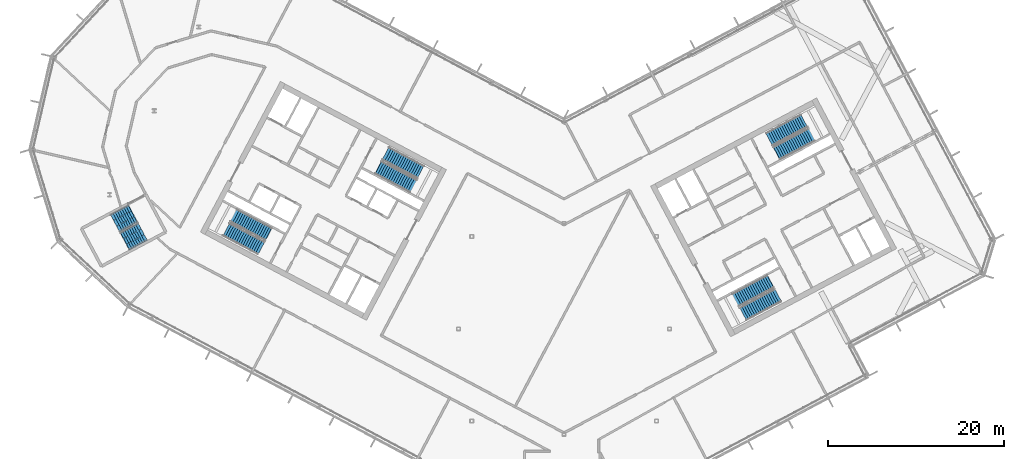
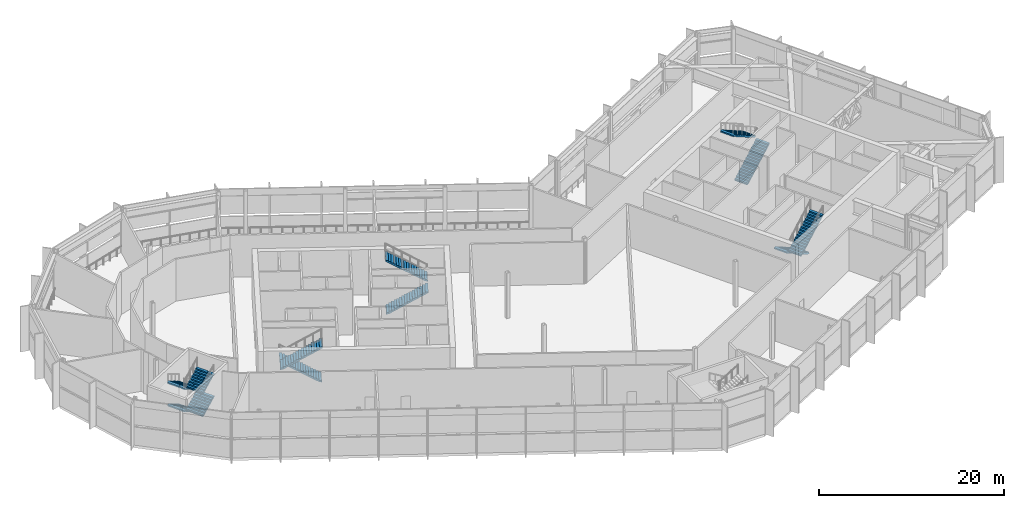
# One storey, part 19 of 33: 12 stair flights, 5 elements without a shape of their own.
"""IFC4 building model written with IfcOpenShell, lengths in metres."""

from ifc_helpers import new_model, si_unit, direction, frame, origin, place, context, subcontext, project, spatial, polyline, outline, extrude, material, type_object, element, aggregate, save


model = new_model("IFC4")

# Units and contexts
model_context = context("Model", 3, precision=1e-05, world=origin(), true_north=direction((0.0, 1.0)))
body_context = subcontext(model_context, "Body", "Model", "MODEL_VIEW")
ifc_project = project(units=[si_unit("LENGTHUNIT", "METRE"), si_unit("AREAUNIT", "SQUARE_METRE"), si_unit("VOLUMEUNIT", "CUBIC_METRE"), si_unit("PLANEANGLEUNIT", "RADIAN"), si_unit("MASSUNIT", "GRAM", prefix="KILO")], contexts=[model_context])

# Site, building, storey
site_placement = place(None, origin())
site = spatial("IfcSite", under=ifc_project, at=site_placement, CompositionType="ELEMENT")
building_placement = place(site_placement, origin())
building = spatial("IfcBuilding", under=site, at=building_placement, Name="Cormorant Relay Tower", CompositionType="ELEMENT")
storey_placement = place(building_placement, frame((0.0, 0.0, 252.0)))
storey = spatial("IfcBuildingStorey", under=building, at=storey_placement, Name="L56", CompositionType="ELEMENT", Elevation=252.0)

# Stair, stair flights
ifc_material_1 = material(Name="Concrete 40 MPa", Category="concrete")
stair_type_1 = type_object("IfcStairType", Name="Exit stair 1500", PredefinedType="HALF_TURN_STAIR", material=ifc_material_1)
stair_1_placement = place(storey_placement, origin())
stair_1 = element("IfcStair", 1, at=stair_1_placement, inside=storey, type_object=stair_type_1, Name="L56 Stair", PredefinedType="HALF_TURN_STAIR")
ifc_material_2 = material(Name="Concrete 40 MPa", Category="concrete")
stair_flight_type_1 = type_object("IfcStairFlightType", Name="Exit stair flight 1650", PredefinedType="STRAIGHT", material=ifc_material_2)
stair_flight_1_placement = place(storey_placement, frame((-21.114501953125, 18.33349609375, 0.0), z_axis=(0.0, 0.0, 1.0), x_axis=(0.882947592859, -0.469471562786, 0.0)))
stair_flight_1 = element("IfcStairFlight", 2, at=stair_flight_1_placement, type_object=stair_flight_type_1, Name="A1 flight 1", NumberOfRisers=17, NumberOfTreads=16, PredefinedType="STRAIGHT", RiserHeight=0.176470588, TreadLength=0.28, context=body_context, shape_type="SweptSolid", body=[
    extrude(outline(polyline([(-0.050048828125, -0.080078125), (-0.050048828125, 0.0), (0.0, 0.0), (0.0, 0.176513671875), (0.280029296875, 0.176513671875), (0.280029296875, 0.35302734375), (0.56005859375, 0.35302734375), (0.56005859375, 0.529296875), (0.840087890625, 0.529296875), (0.840087890625, 0.705810546875), (1.1201171875, 0.705810546875), (1.1201171875, 0.88232421875), (1.39990234375, 0.88232421875), (1.39990234375, 1.058837890625), (1.679931640625, 1.058837890625), (1.679931640625, 1.2353515625), (1.9599609375, 1.2353515625), (1.9599609375, 1.411865234375), (2.239990234375, 1.411865234375), (2.239990234375, 1.588134765625), (2.52001953125, 1.588134765625), (2.52001953125, 1.7646484375), (2.800048828125, 1.7646484375), (2.800048828125, 1.941162109375), (3.080078125, 1.941162109375), (3.080078125, 2.11767578125), (3.360107421875, 2.11767578125), (3.360107421875, 2.294189453125), (3.639892578125, 2.294189453125), (3.639892578125, 2.470703125), (3.919921875, 2.470703125), (3.919921875, 2.64697265625), (4.199951171875, 2.64697265625), (4.199951171875, 2.823486328125), (4.47998046875, 2.823486328125), (4.530029296875, 2.823486328125), (4.530029296875, 2.646240234375), (4.47998046875, 2.646240234375), (0.28125, 0.0), (-0.050048828125, -0.080078125)])), frame((0.0, 0.824951171875, 0.0), z_axis=(0.0, -1.0, 0.0), x_axis=(1.0, 0.0, 0.0)), (0.0, 0.0, 1.0), 1.64990234375),
])
stair_flight_2_placement = place(storey_placement, frame((-16.313720703125, 17.819580078125, 3.0), z_axis=(0.0, 0.0, 1.0), x_axis=(-0.882947592859, 0.469471562786, 0.0)))
stair_flight_2 = element("IfcStairFlight", 3, at=stair_flight_2_placement, type_object=stair_flight_type_1, Name="A1 flight 2", NumberOfRisers=17, NumberOfTreads=16, PredefinedType="STRAIGHT", RiserHeight=0.176470588, TreadLength=0.28, context=body_context, shape_type="SweptSolid", body=[
    extrude(outline(polyline([(-0.050048828125, -0.080078125), (-0.050048828125, 0.0), (0.0, 0.0), (0.0, 0.176513671875), (0.280029296875, 0.176513671875), (0.280029296875, 0.35302734375), (0.56005859375, 0.35302734375), (0.56005859375, 0.529296875), (0.840087890625, 0.529296875), (0.840087890625, 0.705810546875), (1.1201171875, 0.705810546875), (1.1201171875, 0.88232421875), (1.39990234375, 0.88232421875), (1.39990234375, 1.058837890625), (1.679931640625, 1.058837890625), (1.679931640625, 1.2353515625), (1.9599609375, 1.2353515625), (1.9599609375, 1.411865234375), (2.239990234375, 1.411865234375), (2.239990234375, 1.588134765625), (2.52001953125, 1.588134765625), (2.52001953125, 1.7646484375), (2.800048828125, 1.7646484375), (2.800048828125, 1.941162109375), (3.080078125, 1.941162109375), (3.080078125, 2.11767578125), (3.360107421875, 2.11767578125), (3.360107421875, 2.294189453125), (3.639892578125, 2.294189453125), (3.639892578125, 2.470703125), (3.919921875, 2.470703125), (3.919921875, 2.64697265625), (4.199951171875, 2.64697265625), (4.199951171875, 2.823486328125), (4.47998046875, 2.823486328125), (4.530029296875, 2.823486328125), (4.530029296875, 2.646240234375), (4.47998046875, 2.646240234375), (0.28125, 0.0), (-0.050048828125, -0.080078125)])), frame((0.0, 0.824951171875, 0.0), z_axis=(0.0, -1.0, 0.0), x_axis=(1.0, 0.0, 0.0)), (0.0, 0.0, 1.0), 1.64990234375),
])
aggregate(stair_1, [stair_flight_1, stair_flight_2])

stair_2_placement = place(storey_placement, origin())
stair_2 = element("IfcStair", 4, at=stair_2_placement, inside=storey, type_object=stair_type_1, Name="L56 Stair", PredefinedType="HALF_TURN_STAIR")
stair_flight_3_placement = place(storey_placement, frame((-33.62841796875, 10.773681640625, 0.0), z_axis=(0.0, 0.0, 1.0), x_axis=(-0.882947592859, 0.469471562786, 0.0)))
stair_flight_3 = element("IfcStairFlight", 5, at=stair_flight_3_placement, type_object=stair_flight_type_1, Name="A2 flight 1", NumberOfRisers=17, NumberOfTreads=16, PredefinedType="STRAIGHT", RiserHeight=0.176470588, TreadLength=0.28, context=body_context, shape_type="SweptSolid", body=[
    extrude(outline(polyline([(-0.050048828125, -0.080078125), (-0.050048828125, 0.0), (0.0, 0.0), (0.0, 0.176513671875), (0.280029296875, 0.176513671875), (0.280029296875, 0.35302734375), (0.56005859375, 0.35302734375), (0.56005859375, 0.529296875), (0.840087890625, 0.529296875), (0.840087890625, 0.705810546875), (1.1201171875, 0.705810546875), (1.1201171875, 0.88232421875), (1.39990234375, 0.88232421875), (1.39990234375, 1.058837890625), (1.679931640625, 1.058837890625), (1.679931640625, 1.2353515625), (1.9599609375, 1.2353515625), (1.9599609375, 1.411865234375), (2.239990234375, 1.411865234375), (2.239990234375, 1.588134765625), (2.52001953125, 1.588134765625), (2.52001953125, 1.7646484375), (2.800048828125, 1.7646484375), (2.800048828125, 1.941162109375), (3.080078125, 1.941162109375), (3.080078125, 2.11767578125), (3.360107421875, 2.11767578125), (3.360107421875, 2.294189453125), (3.639892578125, 2.294189453125), (3.639892578125, 2.470703125), (3.919921875, 2.470703125), (3.919921875, 2.64697265625), (4.199951171875, 2.64697265625), (4.199951171875, 2.823486328125), (4.47998046875, 2.823486328125), (4.530029296875, 2.823486328125), (4.530029296875, 2.646240234375), (4.47998046875, 2.646240234375), (0.28125, 0.0), (-0.050048828125, -0.080078125)])), frame((0.0, 0.824951171875, 0.0), z_axis=(0.0, -1.0, 0.0), x_axis=(1.0, 0.0, 0.0)), (0.0, 0.0, 1.0), 1.64990234375),
])
stair_flight_4_placement = place(storey_placement, frame((-38.428955078125, 11.28759765625, 3.0), z_axis=(0.0, 0.0, 1.0), x_axis=(0.882947592859, -0.469471562786, 0.0)))
stair_flight_4 = element("IfcStairFlight", 6, at=stair_flight_4_placement, type_object=stair_flight_type_1, Name="A2 flight 2", NumberOfRisers=17, NumberOfTreads=16, PredefinedType="STRAIGHT", RiserHeight=0.176470588, TreadLength=0.28, context=body_context, shape_type="SweptSolid", body=[
    extrude(outline(polyline([(-0.050048828125, -0.080078125), (-0.050048828125, 0.0), (0.0, 0.0), (0.0, 0.176513671875), (0.280029296875, 0.176513671875), (0.280029296875, 0.35302734375), (0.56005859375, 0.35302734375), (0.56005859375, 0.529296875), (0.840087890625, 0.529296875), (0.840087890625, 0.705810546875), (1.1201171875, 0.705810546875), (1.1201171875, 0.88232421875), (1.39990234375, 0.88232421875), (1.39990234375, 1.058837890625), (1.679931640625, 1.058837890625), (1.679931640625, 1.2353515625), (1.9599609375, 1.2353515625), (1.9599609375, 1.411865234375), (2.239990234375, 1.411865234375), (2.239990234375, 1.588134765625), (2.52001953125, 1.588134765625), (2.52001953125, 1.7646484375), (2.800048828125, 1.7646484375), (2.800048828125, 1.941162109375), (3.080078125, 1.941162109375), (3.080078125, 2.11767578125), (3.360107421875, 2.11767578125), (3.360107421875, 2.294189453125), (3.639892578125, 2.294189453125), (3.639892578125, 2.470703125), (3.919921875, 2.470703125), (3.919921875, 2.64697265625), (4.199951171875, 2.64697265625), (4.199951171875, 2.823486328125), (4.47998046875, 2.823486328125), (4.530029296875, 2.823486328125), (4.530029296875, 2.646240234375), (4.47998046875, 2.646240234375), (0.28125, 0.0), (-0.050048828125, -0.080078125)])), frame((0.0, 0.824951171875, 0.0), z_axis=(0.0, -1.0, 0.0), x_axis=(1.0, 0.0, 0.0)), (0.0, 0.0, 1.0), 1.64990234375),
])
aggregate(stair_2, [stair_flight_3, stair_flight_4])

stair_3_placement = place(storey_placement, origin())
stair_3 = element("IfcStair", 7, at=stair_3_placement, inside=storey, type_object=stair_type_1, Name="L56 Stair", PredefinedType="HALF_TURN_STAIR")
stair_flight_5_placement = place(storey_placement, frame((23.474365234375, 5.374755859375, 0.0), z_axis=(0.0, 0.0, 1.0), x_axis=(-0.882947592859, -0.469471562786, 0.0)))
stair_flight_5 = element("IfcStairFlight", 8, at=stair_flight_5_placement, type_object=stair_flight_type_1, Name="B1 flight 1", NumberOfRisers=17, NumberOfTreads=16, PredefinedType="STRAIGHT", RiserHeight=0.176470588, TreadLength=0.28, context=body_context, shape_type="SweptSolid", body=[
    extrude(outline(polyline([(-0.050048828125, -0.080078125), (-0.050048828125, 0.0), (0.0, 0.0), (0.0, 0.176513671875), (0.280029296875, 0.176513671875), (0.280029296875, 0.35302734375), (0.56005859375, 0.35302734375), (0.56005859375, 0.529296875), (0.840087890625, 0.529296875), (0.840087890625, 0.705810546875), (1.1201171875, 0.705810546875), (1.1201171875, 0.88232421875), (1.39990234375, 0.88232421875), (1.39990234375, 1.058837890625), (1.679931640625, 1.058837890625), (1.679931640625, 1.2353515625), (1.9599609375, 1.2353515625), (1.9599609375, 1.411865234375), (2.239990234375, 1.411865234375), (2.239990234375, 1.588134765625), (2.52001953125, 1.588134765625), (2.52001953125, 1.7646484375), (2.800048828125, 1.7646484375), (2.800048828125, 1.941162109375), (3.080078125, 1.941162109375), (3.080078125, 2.11767578125), (3.360107421875, 2.11767578125), (3.360107421875, 2.294189453125), (3.639892578125, 2.294189453125), (3.639892578125, 2.470703125), (3.919921875, 2.470703125), (3.919921875, 2.64697265625), (4.199951171875, 2.64697265625), (4.199951171875, 2.823486328125), (4.47998046875, 2.823486328125), (4.530029296875, 2.823486328125), (4.530029296875, 2.646240234375), (4.47998046875, 2.646240234375), (0.28125, 0.0), (-0.050048828125, -0.080078125)])), frame((0.0, 0.824951171875, 0.0), z_axis=(0.0, -1.0, 0.0), x_axis=(1.0, 0.0, 0.0)), (0.0, 0.0, 1.0), 1.64990234375),
])
stair_flight_6_placement = place(storey_placement, frame((20.364013671875, 1.68212890625, 3.0), z_axis=(0.0, 0.0, 1.0), x_axis=(0.882947592859, 0.469471562786, 0.0)))
stair_flight_6 = element("IfcStairFlight", 9, at=stair_flight_6_placement, type_object=stair_flight_type_1, Name="B1 flight 2", NumberOfRisers=17, NumberOfTreads=16, PredefinedType="STRAIGHT", RiserHeight=0.176470588, TreadLength=0.28, context=body_context, shape_type="SweptSolid", body=[
    extrude(outline(polyline([(-0.050048828125, -0.080078125), (-0.050048828125, 0.0), (0.0, 0.0), (0.0, 0.176513671875), (0.280029296875, 0.176513671875), (0.280029296875, 0.35302734375), (0.56005859375, 0.35302734375), (0.56005859375, 0.529296875), (0.840087890625, 0.529296875), (0.840087890625, 0.705810546875), (1.1201171875, 0.705810546875), (1.1201171875, 0.88232421875), (1.39990234375, 0.88232421875), (1.39990234375, 1.058837890625), (1.679931640625, 1.058837890625), (1.679931640625, 1.2353515625), (1.9599609375, 1.2353515625), (1.9599609375, 1.411865234375), (2.239990234375, 1.411865234375), (2.239990234375, 1.588134765625), (2.52001953125, 1.588134765625), (2.52001953125, 1.7646484375), (2.800048828125, 1.7646484375), (2.800048828125, 1.941162109375), (3.080078125, 1.941162109375), (3.080078125, 2.11767578125), (3.360107421875, 2.11767578125), (3.360107421875, 2.294189453125), (3.639892578125, 2.294189453125), (3.639892578125, 2.470703125), (3.919921875, 2.470703125), (3.919921875, 2.64697265625), (4.199951171875, 2.64697265625), (4.199951171875, 2.823486328125), (4.47998046875, 2.823486328125), (4.530029296875, 2.823486328125), (4.530029296875, 2.646240234375), (4.47998046875, 2.646240234375), (0.28125, 0.0), (-0.050048828125, -0.080078125)])), frame((0.0, 0.824951171875, 0.0), z_axis=(0.0, -1.0, 0.0), x_axis=(1.0, 0.0, 0.0)), (0.0, 0.0, 1.0), 1.64990234375),
])
aggregate(stair_3, [stair_flight_5, stair_flight_6])

stair_4_placement = place(storey_placement, origin())
stair_4 = element("IfcStair", 10, at=stair_4_placement, inside=storey, type_object=stair_type_1, Name="L56 Stair", PredefinedType="HALF_TURN_STAIR")
stair_flight_7_placement = place(storey_placement, frame((24.20458984375, 19.976806640625, 0.0), z_axis=(0.0, 0.0, 1.0), x_axis=(0.882947592859, 0.469471562786, 0.0)))
stair_flight_7 = element("IfcStairFlight", 11, at=stair_flight_7_placement, type_object=stair_flight_type_1, Name="B2 flight 1", NumberOfRisers=17, NumberOfTreads=16, PredefinedType="STRAIGHT", RiserHeight=0.176470588, TreadLength=0.28, context=body_context, shape_type="SweptSolid", body=[
    extrude(outline(polyline([(-0.050048828125, -0.080078125), (-0.050048828125, 0.0), (0.0, 0.0), (0.0, 0.176513671875), (0.280029296875, 0.176513671875), (0.280029296875, 0.35302734375), (0.56005859375, 0.35302734375), (0.56005859375, 0.529296875), (0.840087890625, 0.529296875), (0.840087890625, 0.705810546875), (1.1201171875, 0.705810546875), (1.1201171875, 0.88232421875), (1.39990234375, 0.88232421875), (1.39990234375, 1.058837890625), (1.679931640625, 1.058837890625), (1.679931640625, 1.2353515625), (1.9599609375, 1.2353515625), (1.9599609375, 1.411865234375), (2.239990234375, 1.411865234375), (2.239990234375, 1.588134765625), (2.52001953125, 1.588134765625), (2.52001953125, 1.7646484375), (2.800048828125, 1.7646484375), (2.800048828125, 1.941162109375), (3.080078125, 1.941162109375), (3.080078125, 2.11767578125), (3.360107421875, 2.11767578125), (3.360107421875, 2.294189453125), (3.639892578125, 2.294189453125), (3.639892578125, 2.470703125), (3.919921875, 2.470703125), (3.919921875, 2.64697265625), (4.199951171875, 2.64697265625), (4.199951171875, 2.823486328125), (4.47998046875, 2.823486328125), (4.530029296875, 2.823486328125), (4.530029296875, 2.646240234375), (4.47998046875, 2.646240234375), (0.28125, 0.0), (-0.050048828125, -0.080078125)])), frame((0.0, 0.824951171875, 0.0), z_axis=(0.0, -1.0, 0.0), x_axis=(1.0, 0.0, 0.0)), (0.0, 0.0, 1.0), 1.64990234375),
])
stair_flight_8_placement = place(storey_placement, frame((27.315185546875, 23.669189453125, 3.0), z_axis=(0.0, 0.0, 1.0), x_axis=(-0.882947592859, -0.469471562786, 0.0)))
stair_flight_8 = element("IfcStairFlight", 12, at=stair_flight_8_placement, type_object=stair_flight_type_1, Name="B2 flight 2", NumberOfRisers=17, NumberOfTreads=16, PredefinedType="STRAIGHT", RiserHeight=0.176470588, TreadLength=0.28, context=body_context, shape_type="SweptSolid", body=[
    extrude(outline(polyline([(-0.050048828125, -0.080078125), (-0.050048828125, 0.0), (0.0, 0.0), (0.0, 0.176513671875), (0.280029296875, 0.176513671875), (0.280029296875, 0.35302734375), (0.56005859375, 0.35302734375), (0.56005859375, 0.529296875), (0.840087890625, 0.529296875), (0.840087890625, 0.705810546875), (1.1201171875, 0.705810546875), (1.1201171875, 0.88232421875), (1.39990234375, 0.88232421875), (1.39990234375, 1.058837890625), (1.679931640625, 1.058837890625), (1.679931640625, 1.2353515625), (1.9599609375, 1.2353515625), (1.9599609375, 1.411865234375), (2.239990234375, 1.411865234375), (2.239990234375, 1.588134765625), (2.52001953125, 1.588134765625), (2.52001953125, 1.7646484375), (2.800048828125, 1.7646484375), (2.800048828125, 1.941162109375), (3.080078125, 1.941162109375), (3.080078125, 2.11767578125), (3.360107421875, 2.11767578125), (3.360107421875, 2.294189453125), (3.639892578125, 2.294189453125), (3.639892578125, 2.470703125), (3.919921875, 2.470703125), (3.919921875, 2.64697265625), (4.199951171875, 2.64697265625), (4.199951171875, 2.823486328125), (4.47998046875, 2.823486328125), (4.530029296875, 2.823486328125), (4.530029296875, 2.646240234375), (4.47998046875, 2.646240234375), (0.28125, 0.0), (-0.050048828125, -0.080078125)])), frame((0.0, 0.824951171875, 0.0), z_axis=(0.0, -1.0, 0.0), x_axis=(1.0, 0.0, 0.0)), (0.0, 0.0, 1.0), 1.64990234375),
])
aggregate(stair_4, [stair_flight_7, stair_flight_8])

ifc_material_3 = material(Name="Concrete 40 MPa", Category="concrete")
stair_type_2 = type_object("IfcStairType", Name="Remote exit stair 2200", PredefinedType="HALF_TURN_STAIR", material=ifc_material_3)
stair_5_placement = place(storey_placement, origin())
stair_5 = element("IfcStair", 13, at=stair_5_placement, inside=storey, type_object=stair_type_2, Name="L56 Stair", PredefinedType="HALF_TURN_STAIR")
ifc_material_4 = material(Name="Concrete 40 MPa", Category="concrete")
stair_flight_type_2 = type_object("IfcStairFlightType", Name="Remote exit stair flight 2200", PredefinedType="STRAIGHT", material=ifc_material_4)
stair_flight_9_placement = place(storey_placement, frame((-49.062255859375, 13.08251953125, 0.0), z_axis=(0.0, 0.0, 1.0), x_axis=(-0.882947502727, -0.4694717323, 0.0)))
stair_flight_9 = element("IfcStairFlight", 14, at=stair_flight_9_placement, type_object=stair_flight_type_2, Name="RP1 flight 1", NumberOfRisers=9, NumberOfTreads=8, PredefinedType="STRAIGHT", RiserHeight=0.166666667, TreadLength=0.28, context=body_context, shape_type="SweptSolid", body=[
    extrude(outline(polyline([(-0.050048828125, -0.080078125), (-0.050048828125, 0.0), (0.0, 0.0), (0.0, 0.166748046875), (0.280029296875, 0.166748046875), (0.280029296875, 0.333251953125), (0.56005859375, 0.333251953125), (0.56005859375, 0.5), (0.840087890625, 0.5), (0.840087890625, 0.666748046875), (1.1201171875, 0.666748046875), (1.1201171875, 0.833251953125), (1.39990234375, 0.833251953125), (1.39990234375, 1.0), (1.679931640625, 1.0), (1.679931640625, 1.166748046875), (1.9599609375, 1.166748046875), (1.9599609375, 1.333251953125), (2.239990234375, 1.333251953125), (2.2900390625, 1.333251953125), (2.2900390625, 1.158935546875), (2.239990234375, 1.158935546875), (0.29296875, 0.0), (-0.050048828125, -0.080078125)])), frame((0.0, 1.10009765625, 0.0), z_axis=(0.0, -1.0, 0.0), x_axis=(1.0, 0.0, 0.0)), (0.0, 0.0, 1.0), 0.719970703125),
    extrude(outline(polyline([(-0.050048828125, -0.080078125), (-0.050048828125, 0.0), (0.0, 0.0), (0.0, 0.166748046875), (0.280029296875, 0.166748046875), (0.280029296875, 0.333251953125), (0.56005859375, 0.333251953125), (0.56005859375, 0.5), (0.840087890625, 0.5), (0.840087890625, 0.666748046875), (1.1201171875, 0.666748046875), (1.1201171875, 0.833251953125), (1.39990234375, 0.833251953125), (1.39990234375, 1.0), (1.679931640625, 1.0), (1.679931640625, 1.166748046875), (1.9599609375, 1.166748046875), (1.9599609375, 1.333251953125), (2.239990234375, 1.333251953125), (2.2900390625, 1.333251953125), (2.2900390625, 1.158935546875), (2.239990234375, 1.158935546875), (0.29296875, 0.0), (-0.050048828125, -0.080078125)])), frame((0.0, 0.360107421875, 0.0), z_axis=(0.0, -1.0, 0.0), x_axis=(1.0, 0.0, 0.0)), (0.0, 0.0, 1.0), 0.719970703125),
    extrude(outline(polyline([(-0.050048828125, -0.080078125), (-0.050048828125, 0.0), (0.0, 0.0), (0.0, 0.166748046875), (0.280029296875, 0.166748046875), (0.280029296875, 0.333251953125), (0.56005859375, 0.333251953125), (0.56005859375, 0.5), (0.840087890625, 0.5), (0.840087890625, 0.666748046875), (1.1201171875, 0.666748046875), (1.1201171875, 0.833251953125), (1.39990234375, 0.833251953125), (1.39990234375, 1.0), (1.679931640625, 1.0), (1.679931640625, 1.166748046875), (1.9599609375, 1.166748046875), (1.9599609375, 1.333251953125), (2.239990234375, 1.333251953125), (2.2900390625, 1.333251953125), (2.2900390625, 1.158935546875), (2.239990234375, 1.158935546875), (0.29296875, 0.0), (-0.050048828125, -0.080078125)])), frame((0.0, -0.3798828125, 0.0), z_axis=(0.0, -1.0, 0.0), x_axis=(1.0, 0.0, 0.0)), (0.0, 0.0, 1.0), 0.719970703125),
])
stair_flight_10_placement = place(storey_placement, frame((-49.936767578125, 9.9560546875, 1.5), z_axis=(0.0, 0.0, 1.0), x_axis=(0.882947502727, 0.4694717323, 0.0)))
stair_flight_10 = element("IfcStairFlight", 15, at=stair_flight_10_placement, type_object=stair_flight_type_2, Name="RP1 flight 2", NumberOfRisers=9, NumberOfTreads=8, PredefinedType="STRAIGHT", RiserHeight=0.166666667, TreadLength=0.28, context=body_context, shape_type="SweptSolid", body=[
    extrude(outline(polyline([(-0.050048828125, -0.080078125), (-0.050048828125, 0.0), (0.0, 0.0), (0.0, 0.166748046875), (0.280029296875, 0.166748046875), (0.280029296875, 0.333251953125), (0.56005859375, 0.333251953125), (0.56005859375, 0.5), (0.840087890625, 0.5), (0.840087890625, 0.666748046875), (1.1201171875, 0.666748046875), (1.1201171875, 0.833251953125), (1.39990234375, 0.833251953125), (1.39990234375, 1.0), (1.679931640625, 1.0), (1.679931640625, 1.166748046875), (1.9599609375, 1.166748046875), (1.9599609375, 1.333251953125), (2.239990234375, 1.333251953125), (2.2900390625, 1.333251953125), (2.2900390625, 1.158935546875), (2.239990234375, 1.158935546875), (0.29296875, 0.0), (-0.050048828125, -0.080078125)])), frame((0.0, 1.10009765625, 0.0), z_axis=(0.0, -1.0, 0.0), x_axis=(1.0, 0.0, 0.0)), (0.0, 0.0, 1.0), 0.719970703125),
    extrude(outline(polyline([(-0.050048828125, -0.080078125), (-0.050048828125, 0.0), (0.0, 0.0), (0.0, 0.166748046875), (0.280029296875, 0.166748046875), (0.280029296875, 0.333251953125), (0.56005859375, 0.333251953125), (0.56005859375, 0.5), (0.840087890625, 0.5), (0.840087890625, 0.666748046875), (1.1201171875, 0.666748046875), (1.1201171875, 0.833251953125), (1.39990234375, 0.833251953125), (1.39990234375, 1.0), (1.679931640625, 1.0), (1.679931640625, 1.166748046875), (1.9599609375, 1.166748046875), (1.9599609375, 1.333251953125), (2.239990234375, 1.333251953125), (2.2900390625, 1.333251953125), (2.2900390625, 1.158935546875), (2.239990234375, 1.158935546875), (0.29296875, 0.0), (-0.050048828125, -0.080078125)])), frame((0.0, 0.360107421875, 0.0), z_axis=(0.0, -1.0, 0.0), x_axis=(1.0, 0.0, 0.0)), (0.0, 0.0, 1.0), 0.719970703125),
    extrude(outline(polyline([(-0.050048828125, -0.080078125), (-0.050048828125, 0.0), (0.0, 0.0), (0.0, 0.166748046875), (0.280029296875, 0.166748046875), (0.280029296875, 0.333251953125), (0.56005859375, 0.333251953125), (0.56005859375, 0.5), (0.840087890625, 0.5), (0.840087890625, 0.666748046875), (1.1201171875, 0.666748046875), (1.1201171875, 0.833251953125), (1.39990234375, 0.833251953125), (1.39990234375, 1.0), (1.679931640625, 1.0), (1.679931640625, 1.166748046875), (1.9599609375, 1.166748046875), (1.9599609375, 1.333251953125), (2.239990234375, 1.333251953125), (2.2900390625, 1.333251953125), (2.2900390625, 1.158935546875), (2.239990234375, 1.158935546875), (0.29296875, 0.0), (-0.050048828125, -0.080078125)])), frame((0.0, -0.3798828125, 0.0), z_axis=(0.0, -1.0, 0.0), x_axis=(1.0, 0.0, 0.0)), (0.0, 0.0, 1.0), 0.719970703125),
])
stair_flight_11_placement = place(storey_placement, frame((-49.062255859375, 13.08251953125, 3.0), z_axis=(0.0, 0.0, 1.0), x_axis=(-0.882947502727, -0.4694717323, 0.0)))
stair_flight_11 = element("IfcStairFlight", 16, at=stair_flight_11_placement, type_object=stair_flight_type_2, Name="RP1 flight 3", NumberOfRisers=9, NumberOfTreads=8, PredefinedType="STRAIGHT", RiserHeight=0.166666667, TreadLength=0.28, context=body_context, shape_type="SweptSolid", body=[
    extrude(outline(polyline([(-0.050048828125, -0.080078125), (-0.050048828125, 0.0), (0.0, 0.0), (0.0, 0.166748046875), (0.280029296875, 0.166748046875), (0.280029296875, 0.333251953125), (0.56005859375, 0.333251953125), (0.56005859375, 0.5), (0.840087890625, 0.5), (0.840087890625, 0.666748046875), (1.1201171875, 0.666748046875), (1.1201171875, 0.833251953125), (1.39990234375, 0.833251953125), (1.39990234375, 1.0), (1.679931640625, 1.0), (1.679931640625, 1.166748046875), (1.9599609375, 1.166748046875), (1.9599609375, 1.333251953125), (2.239990234375, 1.333251953125), (2.2900390625, 1.333251953125), (2.2900390625, 1.158935546875), (2.239990234375, 1.158935546875), (0.29296875, 0.0), (-0.050048828125, -0.080078125)])), frame((0.0, 1.10009765625, 0.0), z_axis=(0.0, -1.0, 0.0), x_axis=(1.0, 0.0, 0.0)), (0.0, 0.0, 1.0), 0.719970703125),
    extrude(outline(polyline([(-0.050048828125, -0.080078125), (-0.050048828125, 0.0), (0.0, 0.0), (0.0, 0.166748046875), (0.280029296875, 0.166748046875), (0.280029296875, 0.333251953125), (0.56005859375, 0.333251953125), (0.56005859375, 0.5), (0.840087890625, 0.5), (0.840087890625, 0.666748046875), (1.1201171875, 0.666748046875), (1.1201171875, 0.833251953125), (1.39990234375, 0.833251953125), (1.39990234375, 1.0), (1.679931640625, 1.0), (1.679931640625, 1.166748046875), (1.9599609375, 1.166748046875), (1.9599609375, 1.333251953125), (2.239990234375, 1.333251953125), (2.2900390625, 1.333251953125), (2.2900390625, 1.158935546875), (2.239990234375, 1.158935546875), (0.29296875, 0.0), (-0.050048828125, -0.080078125)])), frame((0.0, 0.360107421875, 0.0), z_axis=(0.0, -1.0, 0.0), x_axis=(1.0, 0.0, 0.0)), (0.0, 0.0, 1.0), 0.719970703125),
    extrude(outline(polyline([(-0.050048828125, -0.080078125), (-0.050048828125, 0.0), (0.0, 0.0), (0.0, 0.166748046875), (0.280029296875, 0.166748046875), (0.280029296875, 0.333251953125), (0.56005859375, 0.333251953125), (0.56005859375, 0.5), (0.840087890625, 0.5), (0.840087890625, 0.666748046875), (1.1201171875, 0.666748046875), (1.1201171875, 0.833251953125), (1.39990234375, 0.833251953125), (1.39990234375, 1.0), (1.679931640625, 1.0), (1.679931640625, 1.166748046875), (1.9599609375, 1.166748046875), (1.9599609375, 1.333251953125), (2.239990234375, 1.333251953125), (2.2900390625, 1.333251953125), (2.2900390625, 1.158935546875), (2.239990234375, 1.158935546875), (0.29296875, 0.0), (-0.050048828125, -0.080078125)])), frame((0.0, -0.3798828125, 0.0), z_axis=(0.0, -1.0, 0.0), x_axis=(1.0, 0.0, 0.0)), (0.0, 0.0, 1.0), 0.719970703125),
])
stair_flight_12_placement = place(storey_placement, frame((-49.936767578125, 9.9560546875, 4.5), z_axis=(0.0, 0.0, 1.0), x_axis=(0.882947502727, 0.4694717323, 0.0)))
stair_flight_12 = element("IfcStairFlight", 17, at=stair_flight_12_placement, type_object=stair_flight_type_2, Name="RP1 flight 4", NumberOfRisers=9, NumberOfTreads=8, PredefinedType="STRAIGHT", RiserHeight=0.166666667, TreadLength=0.28, context=body_context, shape_type="SweptSolid", body=[
    extrude(outline(polyline([(-0.050048828125, -0.080078125), (-0.050048828125, 0.0), (0.0, 0.0), (0.0, 0.166748046875), (0.280029296875, 0.166748046875), (0.280029296875, 0.333251953125), (0.56005859375, 0.333251953125), (0.56005859375, 0.5), (0.840087890625, 0.5), (0.840087890625, 0.666748046875), (1.1201171875, 0.666748046875), (1.1201171875, 0.833251953125), (1.39990234375, 0.833251953125), (1.39990234375, 1.0), (1.679931640625, 1.0), (1.679931640625, 1.166748046875), (1.9599609375, 1.166748046875), (1.9599609375, 1.333251953125), (2.239990234375, 1.333251953125), (2.2900390625, 1.333251953125), (2.2900390625, 1.158935546875), (2.239990234375, 1.158935546875), (0.29296875, 0.0), (-0.050048828125, -0.080078125)])), frame((0.0, 1.10009765625, 0.0), z_axis=(0.0, -1.0, 0.0), x_axis=(1.0, 0.0, 0.0)), (0.0, 0.0, 1.0), 0.719970703125),
    extrude(outline(polyline([(-0.050048828125, -0.080078125), (-0.050048828125, 0.0), (0.0, 0.0), (0.0, 0.166748046875), (0.280029296875, 0.166748046875), (0.280029296875, 0.333251953125), (0.56005859375, 0.333251953125), (0.56005859375, 0.5), (0.840087890625, 0.5), (0.840087890625, 0.666748046875), (1.1201171875, 0.666748046875), (1.1201171875, 0.833251953125), (1.39990234375, 0.833251953125), (1.39990234375, 1.0), (1.679931640625, 1.0), (1.679931640625, 1.166748046875), (1.9599609375, 1.166748046875), (1.9599609375, 1.333251953125), (2.239990234375, 1.333251953125), (2.2900390625, 1.333251953125), (2.2900390625, 1.158935546875), (2.239990234375, 1.158935546875), (0.29296875, 0.0), (-0.050048828125, -0.080078125)])), frame((0.0, 0.360107421875, 0.0), z_axis=(0.0, -1.0, 0.0), x_axis=(1.0, 0.0, 0.0)), (0.0, 0.0, 1.0), 0.719970703125),
    extrude(outline(polyline([(-0.050048828125, -0.080078125), (-0.050048828125, 0.0), (0.0, 0.0), (0.0, 0.166748046875), (0.280029296875, 0.166748046875), (0.280029296875, 0.333251953125), (0.56005859375, 0.333251953125), (0.56005859375, 0.5), (0.840087890625, 0.5), (0.840087890625, 0.666748046875), (1.1201171875, 0.666748046875), (1.1201171875, 0.833251953125), (1.39990234375, 0.833251953125), (1.39990234375, 1.0), (1.679931640625, 1.0), (1.679931640625, 1.166748046875), (1.9599609375, 1.166748046875), (1.9599609375, 1.333251953125), (2.239990234375, 1.333251953125), (2.2900390625, 1.333251953125), (2.2900390625, 1.158935546875), (2.239990234375, 1.158935546875), (0.29296875, 0.0), (-0.050048828125, -0.080078125)])), frame((0.0, -0.3798828125, 0.0), z_axis=(0.0, -1.0, 0.0), x_axis=(1.0, 0.0, 0.0)), (0.0, 0.0, 1.0), 0.719970703125),
])
aggregate(stair_5, [stair_flight_9, stair_flight_10, stair_flight_11, stair_flight_12])

save(model, "model.ifc")
